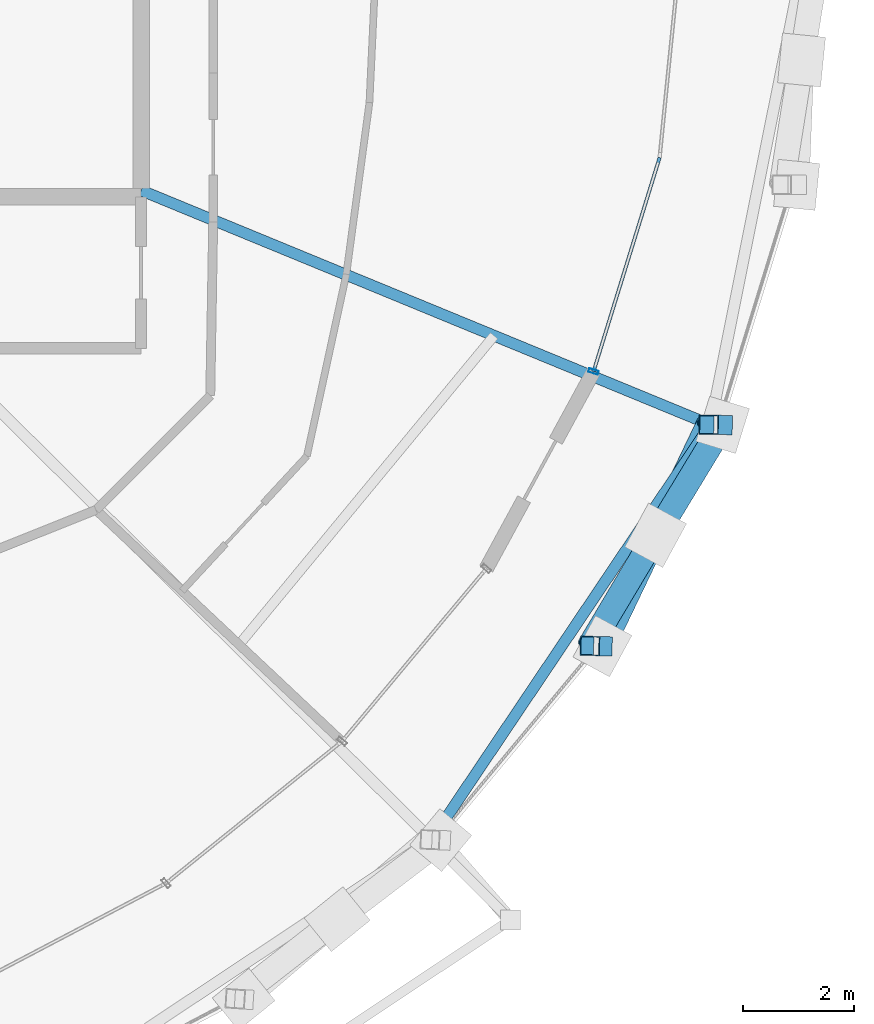
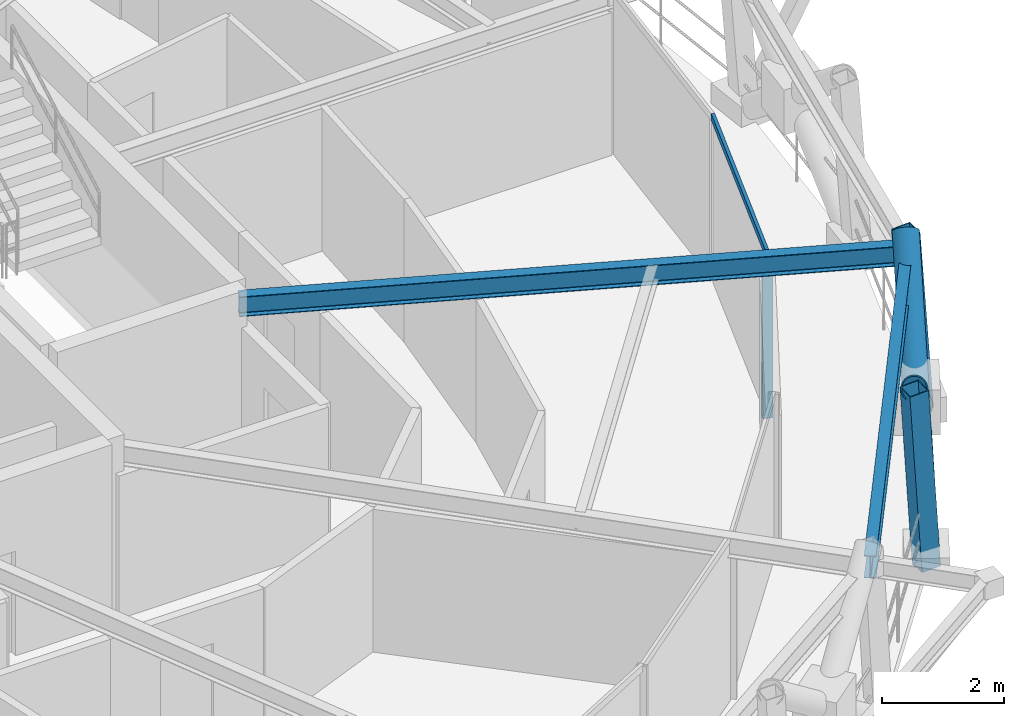
# One storey, part 6 of 18: 7 members, 2 beams, 1 element without a shape of its own.
"""IFC4 building model written with IfcOpenShell, lengths in metres."""

import ifcopenshell
import ifcopenshell.guid

model = None  # the IFC model being written
_history = None  # IfcOwnerHistory: only IFC2X3 demands one
_inside = {}  # id of a spatial element -> (the spatial element, [elements in it])
_under = {}  # id of a project, library or spatial element -> (it, [spatial elements below it])
_declared = {}  # id of a project -> (the project, [libraries it declares])
_typed = {}  # id of a type object -> (the type object, [elements of that type])
_made_of = {}  # id of a material, layer set ... -> (it, [elements and type objects made of it])


def new_model(schema):
    """Start an empty IFC model of exactly this schema.

    Asked for "IFC4X3", IfcOpenShell would pick the latest addendum, in which some entities
    have other attributes; the version numbers below select the first issue.
    IFC2X3 requires an IfcOwnerHistory on every rooted entity: one is made here for all.
    """
    global model, _history
    if schema == "IFC4X3":
        model = ifcopenshell.file(schema_version=(4, 3, 0, 0))
    else:
        model = ifcopenshell.file(schema=schema)
    _inside.clear()
    _under.clear()
    _declared.clear()
    _typed.clear()
    _made_of.clear()
    _history = None
    if model.schema == "IFC2X3":
        org = make("IfcOrganization", Name="unknown")
        user = make(
            "IfcPersonAndOrganization",
            ThePerson=make("IfcPerson", FamilyName="unknown"),
            TheOrganization=org,
        )
        app = make(
            "IfcApplication",
            ApplicationDeveloper=org,
            Version="unknown",
            ApplicationFullName="unknown",
            ApplicationIdentifier="unknown",
        )
        _history = make(
            "IfcOwnerHistory",
            OwningUser=user,
            OwningApplication=app,
            ChangeAction="ADDED",
            CreationDate=0,
        )
    return model


def make(cls, **values):
    """One entity of the class cls with the attributes given. An attribute that is None is left unset."""
    return model.create_entity(
        cls, **{name: value for name, value in values.items() if value is not None}
    )


def rooted(cls, **values):
    """An entity with a GlobalId (a new one), such as an element, a storey or a relation."""
    return make(cls, GlobalId=ifcopenshell.guid.new(), OwnerHistory=_history, **values)


def si_unit(unit_type, name, prefix=None):
    """IfcSIUnit, for example si_unit("LENGTHUNIT", "METRE", prefix="MILLI")."""
    return make("IfcSIUnit", UnitType=unit_type, Prefix=prefix, Name=name)


def assignment(units):
    """IfcUnitAssignment: the units of a project."""
    return None if units is None else make("IfcUnitAssignment", Units=units)


def point(xyz):
    """IfcCartesianPoint."""
    return None if xyz is None else make("IfcCartesianPoint", Coordinates=xyz)


def direction(xyz):
    """IfcDirection."""
    return None if xyz is None else make("IfcDirection", DirectionRatios=xyz)


def frame(location, z_axis=None, x_axis=None):
    """IfcAxis2Placement3D, a coordinate frame: its origin and axes. An axis left out is left unset."""
    return make(
        "IfcAxis2Placement3D",
        Location=point(location),
        Axis=direction(z_axis),
        RefDirection=direction(x_axis),
    )


def frame_2d(location, x_axis=None):
    """IfcAxis2Placement2D, a coordinate frame in the plane: its origin and x axis."""
    return make(
        "IfcAxis2Placement2D", Location=point(location), RefDirection=direction(x_axis)
    )


def origin():
    """The frame at (0, 0, 0) with its axes left unset."""
    return frame((0.0, 0.0, 0.0))


def origin_2d():
    """The frame at (0, 0) in the plane with its x axis left unset."""
    return frame_2d((0.0, 0.0))


def place(relative_to, where):
    """IfcLocalPlacement: puts the frame where relative to a parent placement (None: the world)."""
    return make(
        "IfcLocalPlacement", PlacementRelTo=relative_to, RelativePlacement=where
    )


def context(
    kind, dimensions, precision=None, world=None, true_north=None, identifier=None
):
    """IfcGeometricRepresentationContext, for example the 3D "Model" context."""
    return make(
        "IfcGeometricRepresentationContext",
        ContextIdentifier=identifier,
        ContextType=kind,
        CoordinateSpaceDimension=dimensions,
        Precision=precision,
        WorldCoordinateSystem=world,
        TrueNorth=true_north,
    )


def subcontext(parent, identifier, kind, view, scale=None):
    """IfcGeometricRepresentationSubContext, for example "Body" below "Model"."""
    return make(
        "IfcGeometricRepresentationSubContext",
        ContextIdentifier=identifier,
        ContextType=kind,
        ParentContext=parent,
        TargetScale=scale,
        TargetView=view,
    )


def project(units=None, contexts=None):
    """IfcProject with its units and contexts."""
    return rooted(
        "IfcProject",
        Name="project",
        RepresentationContexts=contexts,
        UnitsInContext=assignment(units),
    )


def spatial(cls, under=None, at=None, **own):
    """A site, building, storey or space (cls), placed at a placement, below another one or the project."""
    s = rooted(cls, ObjectPlacement=at, **own)
    if under is not None:
        _under.setdefault(under.id(), (under, []))[1].append(s)
    return s


def profile(cls, at=None, kind="AREA", **sizes):
    """A parametric profile (cls). Its sizes go by their IFC names, for example OverallWidth=200.0."""
    return make(cls, ProfileType=kind, Position=at, **sizes)


def hollow_rectangle(**sizes):
    """IfcRectangleHollowProfileDef."""
    return profile("IfcRectangleHollowProfileDef", **sizes)


def hollow_circle(**sizes):
    """IfcCircleHollowProfileDef."""
    return profile("IfcCircleHollowProfileDef", **sizes)


def i_section(**sizes):
    """IfcIShapeProfileDef."""
    return profile("IfcIShapeProfileDef", **sizes)


def extrude(swept, where, along, depth):
    """IfcExtrudedAreaSolid: the profile swept, set in the frame where, extruded along a direction by depth."""
    return make(
        "IfcExtrudedAreaSolid",
        SweptArea=swept,
        Position=where,
        ExtrudedDirection=direction(along),
        Depth=depth,
    )


def shape(context_of_items, identifier, shape_type, items):
    """IfcShapeRepresentation: the items that make up one representation, for example the "Body"."""
    return make(
        "IfcShapeRepresentation",
        ContextOfItems=context_of_items,
        RepresentationIdentifier=identifier,
        RepresentationType=shape_type,
        Items=items,
    )


def material(Name=None, Category=None):
    """IfcMaterial."""
    return make("IfcMaterial", Name=Name, Category=Category)


def layer(
    of_material, thickness, ventilated=None, Name=None, Category=None, Priority=None
):
    """IfcMaterialLayer: one layer of a wall or slab, of a material (None: an air gap)."""
    return make(
        "IfcMaterialLayer",
        Material=of_material,
        LayerThickness=thickness,
        IsVentilated=ventilated,
        Name=Name,
        Category=Category,
        Priority=Priority,
    )


def layer_set(layers, Name=None):
    """IfcMaterialLayerSet."""
    return make("IfcMaterialLayerSet", MaterialLayers=layers, LayerSetName=Name)


def material_profile(
    of_material, cross_section, Name=None, Category=None, Priority=None
):
    """IfcMaterialProfile: a cross section and its material."""
    return make(
        "IfcMaterialProfile",
        Name=Name,
        Material=of_material,
        Profile=cross_section,
        Priority=Priority,
        Category=Category,
    )


def profile_set(profiles, Name=None, composite=None):
    """IfcMaterialProfileSet."""
    return make(
        "IfcMaterialProfileSet",
        Name=Name,
        MaterialProfiles=profiles,
        CompositeProfile=composite,
    )


def made_of(thing, what):
    """Note that an element or type object is made of a material, layer set ...; save() writes the relation."""
    if what is not None:
        _made_of.setdefault(what.id(), (what, []))[1].append(thing)
    return thing


def type_object(cls, material=None, **own):
    """A type object (cls), such as IfcWallType, which elements share."""
    return made_of(rooted(cls, **own), material)


def element(
    cls,
    number,
    at=None,
    inside=None,
    cuts=None,
    type_object=None,
    material=None,
    context=None,
    identifier="Body",
    shape_type=None,
    held_by="IfcProductDefinitionShape",
    body=None,
    shapes=None,
    **own,
):
    """One element of the class cls, such as IfcWall. Its Tag is "e" and its number.

    at: its placement. inside: the storey or other place that contains it. cuts: it is an
    opening in that element (IfcRelVoidsElement). A single representation is given by context,
    identifier, shape_type and body (its items); several are given by shapes. held_by: the class
    of the entity that holds the representations. save() writes the other relations.
    """
    e = rooted(cls, Tag="e%d" % number, ObjectPlacement=at, **own)
    if body is not None:
        shapes = [shape(context, identifier, shape_type, body)]
    if shapes is not None:
        e.Representation = make(held_by, Representations=shapes)
    if inside is not None:
        _inside.setdefault(inside.id(), (inside, []))[1].append(e)
    if cuts is not None:
        rooted(
            "IfcRelVoidsElement", RelatingBuildingElement=cuts, RelatedOpeningElement=e
        )
    if type_object is not None:
        _typed.setdefault(type_object.id(), (type_object, []))[1].append(e)
    return made_of(e, material)


def aggregate(whole, parts):
    """IfcRelAggregates: a whole, such as a stair, and the parts it consists of."""
    return rooted("IfcRelAggregates", RelatingObject=whole, RelatedObjects=parts)


def save(model, path):
    """Write the relations noted so far, then the file.

    IfcRelAggregates (storeys below a building ...), IfcRelContainedInSpatialStructure (elements
    in a storey), IfcRelDefinesByType, IfcRelAssociatesMaterial and IfcRelDeclares: one each for
    every whole, place, type object, material and project.
    """
    for whole, parts in _under.values():
        aggregate(whole, parts)
    for where, things in _inside.values():
        rooted(
            "IfcRelContainedInSpatialStructure",
            RelatedElements=things,
            RelatingStructure=where,
        )
    for kind, things in _typed.values():
        rooted("IfcRelDefinesByType", RelatedObjects=things, RelatingType=kind)
    for what, things in _made_of.values():
        rooted("IfcRelAssociatesMaterial", RelatedObjects=things, RelatingMaterial=what)
    for by, libraries in _declared.values():
        rooted("IfcRelDeclares", RelatingContext=by, RelatedDefinitions=libraries)
    model.write(path)


model = new_model("IFC4")

# Units and contexts
model_context = context("Model", 3, precision=1e-05, world=origin(), true_north=direction((0.0, 1.0)))
body_context = subcontext(model_context, "Body", "Model", "MODEL_VIEW")
ifc_project = project(units=[si_unit("LENGTHUNIT", "METRE"), si_unit("AREAUNIT", "SQUARE_METRE"), si_unit("VOLUMEUNIT", "CUBIC_METRE"), si_unit("PLANEANGLEUNIT", "RADIAN"), si_unit("MASSUNIT", "GRAM", prefix="KILO")], contexts=[model_context])

# Site, building, storey
site_placement = place(None, origin())
site = spatial("IfcSite", under=ifc_project, at=site_placement, CompositionType="ELEMENT")
building_placement = place(site_placement, origin())
building = spatial("IfcBuilding", under=site, at=building_placement, Name="Veldorina Hangang Commons", CompositionType="ELEMENT")
storey_placement = place(building_placement, frame((0.0, 0.0, 243.60009765625)))
storey = spatial("IfcBuildingStorey", under=building, at=storey_placement, Name="L63", CompositionType="ELEMENT", Elevation=243.60009765625)

# Beams
ifc_material_1 = material(Name="Steel SM355-TMC", Category="steel")
ifc_material_profile_1 = material_profile(ifc_material_1, i_section(OverallWidth=0.199951171875, OverallDepth=0.39990234375, WebThickness=0.008056640625, FlangeThickness=0.012939453125, FilletRadius=0.012939453125, at=origin_2d()), Name="H-400x200x8x13")
ifc_profile_set_1 = profile_set([ifc_material_profile_1], Name="Steel SM355-TMC")
beam_type_1 = type_object("IfcBeamType", Name="BM-FG400", PredefinedType="BEAM", material=ifc_profile_set_1)
beam_1_placement = place(storey_placement, frame((43.179931640625, 19.397705078125, 3.159912109375), z_axis=(0.924716798102, -0.380655806875, 0.0), x_axis=(0.380655806875, 0.924716798102, 0.0)))
element("IfcBeam", 1, at=beam_1_placement, inside=storey, type_object=beam_type_1, Name="L63 radial floor girder 16", PredefinedType="BEAM", context=body_context, shape_type="SweptSolid", body=[
    extrude(i_section(OverallWidth=0.199951171875, OverallDepth=0.39990234375, WebThickness=0.008056640625, FlangeThickness=0.012939453125, FilletRadius=0.012939453125, at=origin_2d()), origin(), (0.0, 0.0, 1.0), 11.10400390625),
])
ifc_material_profile_2 = material_profile(ifc_material_1, i_section(OverallWidth=0.199951171875, OverallDepth=0.449951171875, WebThickness=0.009033203125, FlangeThickness=0.013916015625, FilletRadius=0.01611328125, at=origin_2d()), Name="H-450x200x9x14")
ifc_profile_set_2 = profile_set([ifc_material_profile_2], Name="Steel SM355-TMC")
beam_type_2 = type_object("IfcBeamType", Name="BM-RB450", PredefinedType="BEAM", material=ifc_profile_set_2)
beam_2_placement = place(storey_placement, frame((48.41552734375, 7.686279296875, 3.135009765625), z_axis=(0.557975413359, 0.829857480587, 0.0), x_axis=(-0.829857480587, 0.557975413359, 0.0)))
element("IfcBeam", 2, at=beam_2_placement, inside=storey, type_object=beam_type_2, Name="L63 perimeter hoop ring beam 28", PredefinedType="BEAM", context=body_context, shape_type="SweptSolid", body=[
    extrude(i_section(OverallWidth=0.199951171875, OverallDepth=0.449951171875, WebThickness=0.009033203125, FlangeThickness=0.013916015625, FilletRadius=0.01611328125, at=origin_2d()), origin(), (0.0, 0.0, 1.0), 9.01904296875),
])

# Curtain wall, members
ifc_material_2 = material(Name="Glass Low-E Selective", Category="glass")
ifc_layer = layer(ifc_material_2, 0.179931640625)
ifc_layer_set = layer_set([ifc_layer], Name="Glass Low-E Selective")
curtain_wall_type = type_object("IfcCurtainWallType", Name="CW-SYS-Z3", PredefinedType="NOTDEFINED", material=ifc_layer_set)
curtain_wall_placement = place(storey_placement, origin())
curtain_wall = element("IfcCurtainWall", 3, at=curtain_wall_placement, inside=storey, type_object=curtain_wall_type, Name="L63 unitised curtain wall CW-L63-R2", PredefinedType="NOTDEFINED")
ifc_material_3 = material(Name="Aluminium Anodized AA6063-T6", Category="aluminium")
ifc_material_profile_3 = material_profile(ifc_material_3, hollow_rectangle(XDim=0.070068359375, YDim=0.179931640625, WallThickness=0.00390625, at=origin_2d()), Name="ALU-RHS-180x70x4")
ifc_profile_set_3 = profile_set([ifc_material_profile_3], Name="Aluminium Anodized AA6063-T6")
member_type_1 = type_object("IfcMemberType", Name="CW-MUL-180", PredefinedType="MULLION", material=ifc_profile_set_3)
member_1_placement = place(storey_placement, frame((51.33984375, 16.13134765625, 0.0), z_axis=(0.0, 0.0, 1.0), x_axis=(0.295074420452, 0.955474273016, 0.0)))
member_1 = element("IfcMember", 4, at=member_1_placement, type_object=member_type_1, Name="CW-L63-R2 vertical mullion 1", PredefinedType="MULLION", context=body_context, shape_type="SweptSolid", body=[
    extrude(hollow_rectangle(XDim=0.070068359375, YDim=0.179931640625, WallThickness=0.00390625, at=origin_2d()), origin(), (0.0, 0.0, 1.0), 3.31982421875),
])
ifc_material_profile_4 = material_profile(ifc_material_3, hollow_rectangle(XDim=0.06005859375, YDim=0.139892578125, WallThickness=0.00341796875, at=origin_2d()), Name="ALU-RHS-140x60x3.5")
ifc_profile_set_4 = profile_set([ifc_material_profile_4], Name="Aluminium Anodized AA6063-T6")
member_type_2 = type_object("IfcMemberType", Name="CW-TRN-140", PredefinedType="USERDEFINED", material=ifc_profile_set_4)
member_2_placement = place(storey_placement, frame((51.33984375, 16.13134765625, 3.27978515625), z_axis=(0.295067382863, 0.955476446371, 0.0), x_axis=(-0.955476446371, 0.295067382863, 0.0)))
member_2 = element("IfcMember", 5, at=member_2_placement, type_object=member_type_2, Name="CW-L63-R2 facet 1 transom 1", ObjectType="TRANSOM", PredefinedType="USERDEFINED", context=body_context, shape_type="SweptSolid", body=[
    extrude(hollow_rectangle(XDim=0.06005859375, YDim=0.139892578125, WallThickness=0.00341796875, at=origin_2d()), origin(), (0.0, 0.0, 1.0), 4.036865234375),
])
aggregate(curtain_wall, [member_1, member_2])

# Members
ifc_material_profile_5 = material_profile(ifc_material_1, hollow_circle(Radius=0.22509765625, WallThickness=0.02197265625, at=origin_2d()), Name="CHS-450x22")
ifc_profile_set_5 = profile_set([ifc_material_profile_5], Name="Steel SM355-TMC")
member_type_3 = type_object("IfcMemberType", Name="DG-CHS450", PredefinedType="BRACE", material=ifc_profile_set_5)
member_3_placement = place(storey_placement, frame((51.50048828125, 11.176513671875, 0.0), z_axis=(0.335431954686, 0.69986083214, 0.63061891774), x_axis=(-0.901774864408, 0.432206078071, 0.0)))
element("IfcMember", 6, at=member_3_placement, inside=storey, type_object=member_type_3, Name="L63 continuous perimeter diagrid brace 29", PredefinedType="BRACE", context=body_context, shape_type="SweptSolid", body=[
    extrude(hollow_circle(Radius=0.22509765625, WallThickness=0.02197265625, at=origin_2d()), origin(), (0.0, 0.0, 1.0), 5.70849609375),
])
member_4_placement = place(storey_placement, frame((53.66796875, 15.1669921875, 0.0), z_axis=(-0.410417911493, -0.675821494258, 0.612227446154), x_axis=(0.854732684957, -0.51906843216, 0.0)))
element("IfcMember", 7, at=member_4_placement, inside=storey, type_object=member_type_3, Name="L63 split perimeter diagrid lower brace 30", PredefinedType="BRACE", context=body_context, shape_type="SweptSolid", body=[
    extrude(hollow_circle(Radius=0.22509765625, WallThickness=0.02197265625, at=origin_2d()), origin(), (0.0, 0.0, 1.0), 2.944580078125),
])
member_5_placement = place(storey_placement, frame((52.45947265625, 13.177001953125, 1.802734375), z_axis=(-0.404223776732, -0.679418724957, 0.612366993316), x_axis=(0.859399679684, -0.511304401076, 0.0)))
element("IfcMember", 8, at=member_5_placement, inside=storey, type_object=member_type_3, Name="L63 split perimeter diagrid upper brace 30", PredefinedType="BRACE", context=body_context, shape_type="SweptSolid", body=[
    extrude(hollow_circle(Radius=0.22509765625, WallThickness=0.02197265625, at=origin_2d()), origin(), (0.0, 0.0, 1.0), 2.934814453125),
])
ifc_material_profile_6 = material_profile(ifc_material_1, hollow_rectangle(XDim=0.35009765625, YDim=0.35009765625, WallThickness=0.01611328125, at=origin_2d()), Name="SHS-350x350x16")
ifc_profile_set_6 = profile_set([ifc_material_profile_6], Name="Steel SM355-TMC")
member_type_4 = type_object("IfcMemberType", Name="STR-SHS350", PredefinedType="STRUT", material=ifc_profile_set_6)
member_6_placement = place(storey_placement, frame((51.50048828125, 11.176513671875, 0.0), z_axis=(-0.063014458194, 0.001827486972, 0.998010940997), x_axis=(-0.028988885947, -0.999579733934, 0.0)))
element("IfcMember", 9, at=member_6_placement, inside=storey, type_object=member_type_4, Name="L63 perimeter ring node post 29", PredefinedType="STRUT", context=body_context, shape_type="SweptSolid", body=[
    extrude(hollow_rectangle(XDim=0.35009765625, YDim=0.35009765625, WallThickness=0.01611328125, at=origin_2d()), origin(), (0.0, 0.0, 1.0), 3.60693359375),
])
member_7_placement = place(storey_placement, frame((53.66796875, 15.1669921875, 0.0), z_axis=(-0.070020939835, 0.001285408557, 0.99754469359), x_axis=(-0.018354395492, -0.999831543894, 0.0)))
element("IfcMember", 10, at=member_7_placement, inside=storey, type_object=member_type_4, Name="L63 perimeter ring node post 30", PredefinedType="STRUT", context=body_context, shape_type="SweptSolid", body=[
    extrude(hollow_rectangle(XDim=0.35009765625, YDim=0.35009765625, WallThickness=0.01611328125, at=origin_2d()), origin(), (0.0, 0.0, 1.0), 3.608642578125),
])

save(model, "model.ifc")
